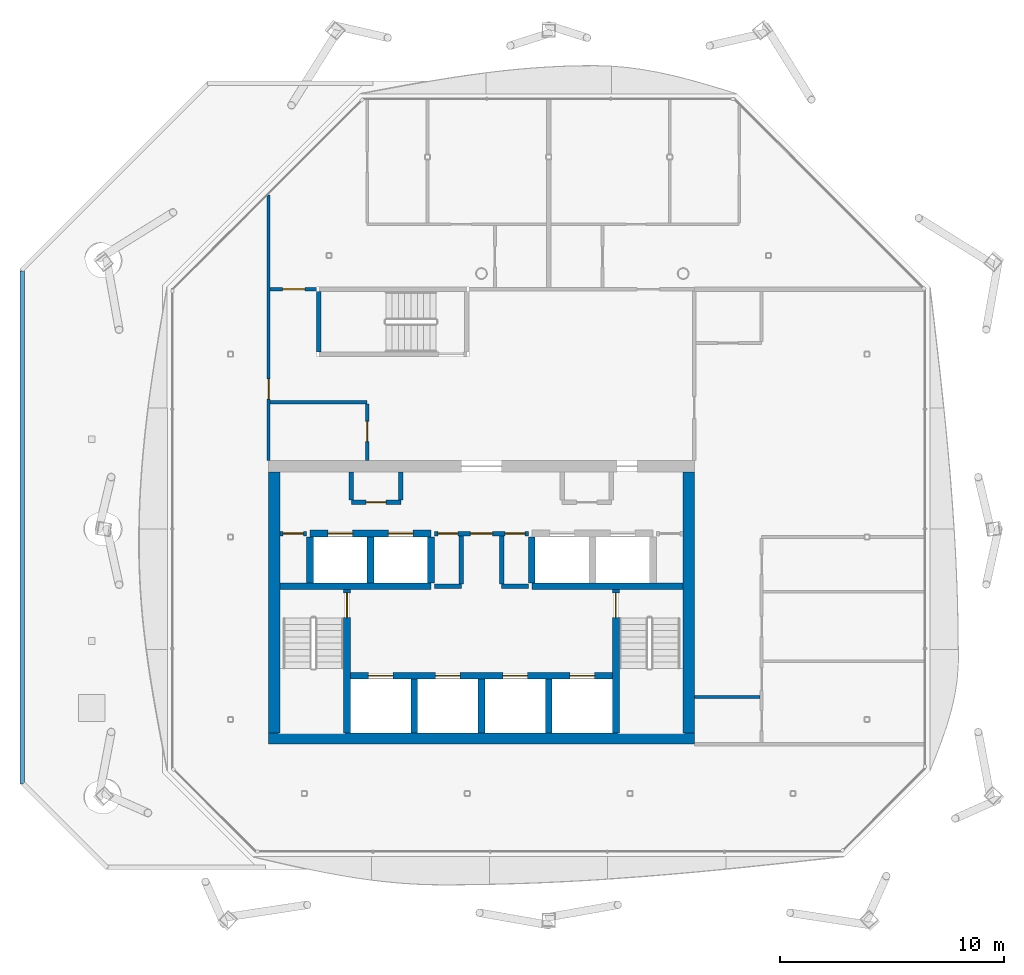
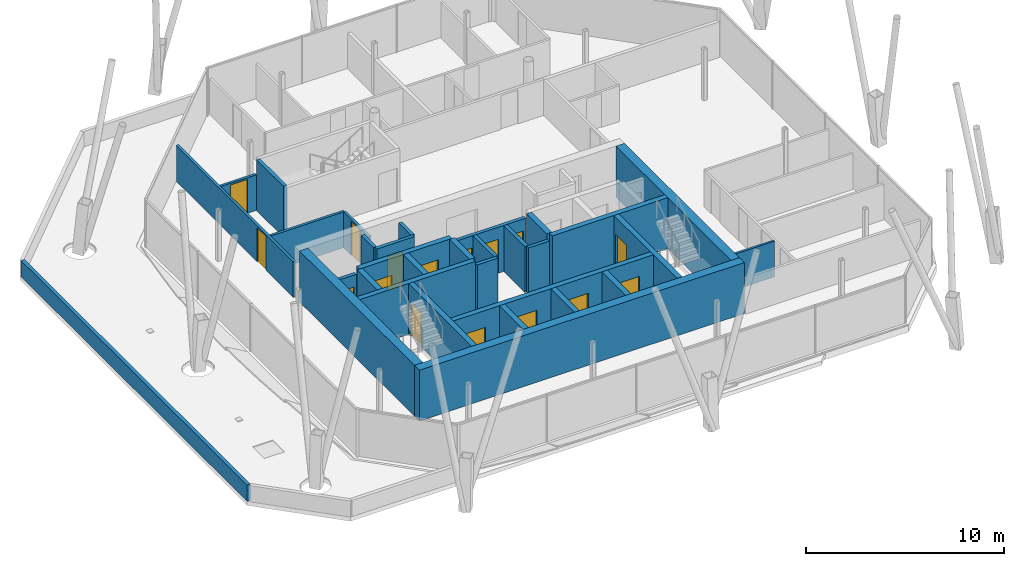
# One storey, part 10 of 17: 32 walls, 16 doors, 16 openings.
"""IFC4 building model written with IfcOpenShell, lengths in metres."""

from ifc_helpers import new_model, si_unit, direction, frame, frame_2d, origin, place, context, subcontext, project, spatial, rectangle, extrude, material, layer, layer_set, type_object, element, fill, save


model = new_model("IFC4")

# Units and contexts
model_context = context("Model", 3, precision=1e-05, world=origin(), true_north=direction((0.0, 1.0)))
body_context = subcontext(model_context, "Body", "Model", "MODEL_VIEW")
ifc_project = project(units=[si_unit("LENGTHUNIT", "METRE"), si_unit("AREAUNIT", "SQUARE_METRE"), si_unit("VOLUMEUNIT", "CUBIC_METRE"), si_unit("PLANEANGLEUNIT", "RADIAN"), si_unit("MASSUNIT", "GRAM", prefix="KILO")], contexts=[model_context])

# Site, building, storey
site_placement = place(None, origin())
site = spatial("IfcSite", under=ifc_project, at=site_placement, CompositionType="ELEMENT")
building_placement = place(site_placement, origin())
building = spatial("IfcBuilding", under=site, at=building_placement, Name="Tskaro Facet Tower", CompositionType="ELEMENT")
storey_placement = place(building_placement, frame((0.0, 0.0, 259.5)))
storey = spatial("IfcBuildingStorey", under=building, at=storey_placement, Name="L68", CompositionType="ELEMENT", Elevation=259.5)

# Wall, openings, doors
ifc_material_1 = material(Name="Concrete C60/75", Category="concrete")
ifc_layer_1 = layer(ifc_material_1, 0.300048828125, Name="Concrete C60/75")
ifc_layer_set_1 = layer_set([ifc_layer_1], Name="Concrete C60/75")
wall_type_1 = type_object("IfcWallType", Name="CORE-SHAFT", PredefinedType="SHEAR", material=ifc_layer_set_1)
wall_1_placement = place(storey_placement, frame((-5.85009765625, -8.949951171875, 0.0), z_axis=(0.0, 0.0, 1.0), x_axis=(1.0, 0.0, 0.0)))
wall_1 = element("IfcWall", 1, at=wall_1_placement, inside=storey, type_object=wall_type_1, Name="Shaft wall W003", PredefinedType="SHEAR", context=body_context, shape_type="SweptSolid", body=[
    extrude(rectangle(XDim=11.7001953125, YDim=0.300048828125, at=frame_2d((5.85009765625, 0.0))), origin(), (0.0, 0.0, 1.0), 3.14990234375),
])
opening_1_placement = place(wall_1_placement, frame((0.800048828125, 0.0, 0.0)))
opening_1 = element("IfcOpeningElement", 2, at=opening_1_placement, cuts=wall_1, Name="Opening LD-FF1", PredefinedType="OPENING", context=body_context, shape_type="SweptSolid", body=[
    extrude(rectangle(XDim=1.10009765625, YDim=2.10009765625, at=frame_2d((0.550048828125, 1.050048828125))), frame((0.0, 0.159912109375, 0.0), z_axis=(0.0, -1.0, 0.0), x_axis=(1.0, 0.0, 0.0)), (0.0, 0.0, 1.0), 0.320068359375),
])
opening_2_placement = place(wall_1_placement, frame((3.800048828125, 0.0, 0.0)))
opening_2 = element("IfcOpeningElement", 3, at=opening_2_placement, cuts=wall_1, Name="Opening LD-FF2", PredefinedType="OPENING", context=body_context, shape_type="SweptSolid", body=[
    extrude(rectangle(XDim=1.10009765625, YDim=2.10009765625, at=frame_2d((0.550048828125, 1.050048828125))), frame((0.0, 0.159912109375, 0.0), z_axis=(0.0, -1.0, 0.0), x_axis=(1.0, 0.0, 0.0)), (0.0, 0.0, 1.0), 0.320068359375),
])
opening_3_placement = place(wall_1_placement, frame((6.800048828125, 0.0, 0.0)))
opening_3 = element("IfcOpeningElement", 4, at=opening_3_placement, cuts=wall_1, Name="Opening LD-SV1", PredefinedType="OPENING", context=body_context, shape_type="SweptSolid", body=[
    extrude(rectangle(XDim=1.10009765625, YDim=2.10009765625, at=frame_2d((0.550048828125, 1.050048828125))), frame((0.0, 0.159912109375, 0.0), z_axis=(0.0, -1.0, 0.0), x_axis=(1.0, 0.0, 0.0)), (0.0, 0.0, 1.0), 0.320068359375),
])
opening_4_placement = place(wall_1_placement, frame((9.800048828125, 0.0, 0.0)))
opening_4 = element("IfcOpeningElement", 5, at=opening_4_placement, cuts=wall_1, Name="Opening LD-SV2", PredefinedType="OPENING", context=body_context, shape_type="SweptSolid", body=[
    extrude(rectangle(XDim=1.10009765625, YDim=2.10009765625, at=frame_2d((0.550048828125, 1.050048828125))), frame((0.0, 0.159912109375, 0.0), z_axis=(0.0, -1.0, 0.0), x_axis=(1.0, 0.0, 0.0)), (0.0, 0.0, 1.0), 0.320068359375),
])
ifc_material_2 = material(Name="Stainless steel", Category="steel")
door_type_1 = type_object("IfcDoorType", Name="D-LANDING", OperationType="NOTDEFINED", PredefinedType="DOOR", material=ifc_material_2)
door_1_placement = place(opening_1_placement, origin())
door_1 = element("IfcDoor", 6, at=door_1_placement, inside=storey, type_object=door_type_1, Name="Landing door FF1", OperationType="DOUBLE_DOOR_SLIDING", OverallHeight=2.10009765625, OverallWidth=1.10009765625, PredefinedType="DOOR", context=body_context, shape_type="SweptSolid", body=[
    extrude(rectangle(XDim=1.10009765625, YDim=2.10009765625, at=frame_2d((0.550048828125, 1.050048828125))), frame((0.0, 0.02490234375, 0.0), z_axis=(0.0, -1.0, 0.0), x_axis=(1.0, 0.0, 0.0)), (0.0, 0.0, 1.0), 0.050048828125),
])
fill(opening_1, door_1)
door_2_placement = place(opening_2_placement, origin())
door_2 = element("IfcDoor", 7, at=door_2_placement, inside=storey, type_object=door_type_1, Name="Landing door FF2", OperationType="DOUBLE_DOOR_SLIDING", OverallHeight=2.10009765625, OverallWidth=1.10009765625, PredefinedType="DOOR", context=body_context, shape_type="SweptSolid", body=[
    extrude(rectangle(XDim=1.10009765625, YDim=2.10009765625, at=frame_2d((0.550048828125, 1.050048828125))), frame((0.0, 0.02490234375, 0.0), z_axis=(0.0, -1.0, 0.0), x_axis=(1.0, 0.0, 0.0)), (0.0, 0.0, 1.0), 0.050048828125),
])
fill(opening_2, door_2)
door_3_placement = place(opening_3_placement, origin())
door_3 = element("IfcDoor", 8, at=door_3_placement, inside=storey, type_object=door_type_1, Name="Landing door SV1", OperationType="DOUBLE_DOOR_SLIDING", OverallHeight=2.10009765625, OverallWidth=1.10009765625, PredefinedType="DOOR", context=body_context, shape_type="SweptSolid", body=[
    extrude(rectangle(XDim=1.10009765625, YDim=2.10009765625, at=frame_2d((0.550048828125, 1.050048828125))), frame((0.0, 0.02490234375, 0.0), z_axis=(0.0, -1.0, 0.0), x_axis=(1.0, 0.0, 0.0)), (0.0, 0.0, 1.0), 0.050048828125),
])
fill(opening_3, door_3)
door_4_placement = place(opening_4_placement, origin())
door_4 = element("IfcDoor", 9, at=door_4_placement, inside=storey, type_object=door_type_1, Name="Landing door SV2", OperationType="DOUBLE_DOOR_SLIDING", OverallHeight=2.10009765625, OverallWidth=1.10009765625, PredefinedType="DOOR", context=body_context, shape_type="SweptSolid", body=[
    extrude(rectangle(XDim=1.10009765625, YDim=2.10009765625, at=frame_2d((0.550048828125, 1.050048828125))), frame((0.0, 0.02490234375, 0.0), z_axis=(0.0, -1.0, 0.0), x_axis=(1.0, 0.0, 0.0)), (0.0, 0.0, 1.0), 0.050048828125),
])
fill(opening_4, door_4)

# Walls
for number, where, z_axis, x_axis, name in (
    (10, (-9.0, -4.949951171875, 0.0), (0.0, 0.0, 1.0), (1.0, 0.0, 0.0), "Shaft wall W006"),
    (11, (2.25, -4.949951171875, 0.0), (0.0, 0.0, 1.0), (1.0, 0.0, 0.0), "Shaft wall W009"),
):
    element("IfcWall", number, at=place(storey_placement, frame(where, z_axis=z_axis, x_axis=x_axis)), inside=storey, type_object=wall_type_1, Name=name, PredefinedType="SHEAR", context=body_context, shape_type="SweptSolid", body=[
        extrude(rectangle(XDim=6.75, YDim=0.300048828125, at=frame_2d((3.375, 0.0))), origin(), (0.0, 0.0, 1.0), 3.14990234375),
    ])

# Wall, openings, doors
wall_2_placement = place(storey_placement, frame((-7.64990234375, -2.60009765625, 0.0), z_axis=(0.0, 0.0, 1.0), x_axis=(1.0, 0.0, 0.0)))
wall_2 = element("IfcWall", 12, at=wall_2_placement, inside=storey, type_object=wall_type_1, Name="Shaft wall W013", PredefinedType="SHEAR", context=body_context, shape_type="SweptSolid", body=[
    extrude(rectangle(XDim=5.39990234375, YDim=0.300048828125, at=frame_2d((2.699951171875, 0.0))), origin(), (0.0, 0.0, 1.0), 3.14990234375),
])
opening_5_placement = place(wall_2_placement, frame((0.800048828125, 0.0, 0.0)))
opening_5 = element("IfcOpeningElement", 13, at=opening_5_placement, cuts=wall_2, Name="Opening LD-HB1", PredefinedType="OPENING", context=body_context, shape_type="SweptSolid", body=[
    extrude(rectangle(XDim=1.10009765625, YDim=2.10009765625, at=frame_2d((0.550048828125, 1.050048828125))), frame((0.0, 0.159912109375, 0.0), z_axis=(0.0, -1.0, 0.0), x_axis=(1.0, 0.0, 0.0)), (0.0, 0.0, 1.0), 0.320068359375),
])
opening_6_placement = place(wall_2_placement, frame((3.5, 0.0, 0.0)))
opening_6 = element("IfcOpeningElement", 14, at=opening_6_placement, cuts=wall_2, Name="Opening LD-HB2", PredefinedType="OPENING", context=body_context, shape_type="SweptSolid", body=[
    extrude(rectangle(XDim=1.10009765625, YDim=2.10009765625, at=frame_2d((0.550048828125, 1.050048828125))), frame((0.0, 0.159912109375, 0.0), z_axis=(0.0, -1.0, 0.0), x_axis=(1.0, 0.0, 0.0)), (0.0, 0.0, 1.0), 0.320068359375),
])
door_5_placement = place(opening_5_placement, origin())
door_5 = element("IfcDoor", 15, at=door_5_placement, inside=storey, type_object=door_type_1, Name="Landing door HB1", OperationType="DOUBLE_DOOR_SLIDING", OverallHeight=2.10009765625, OverallWidth=1.10009765625, PredefinedType="DOOR", context=body_context, shape_type="SweptSolid", body=[
    extrude(rectangle(XDim=1.10009765625, YDim=2.10009765625, at=frame_2d((0.550048828125, 1.050048828125))), frame((0.0, 0.02490234375, 0.0), z_axis=(0.0, -1.0, 0.0), x_axis=(1.0, 0.0, 0.0)), (0.0, 0.0, 1.0), 0.050048828125),
])
fill(opening_5, door_5)
door_6_placement = place(opening_6_placement, origin())
door_6 = element("IfcDoor", 16, at=door_6_placement, inside=storey, type_object=door_type_1, Name="Landing door HB2", OperationType="DOUBLE_DOOR_SLIDING", OverallHeight=2.10009765625, OverallWidth=1.10009765625, PredefinedType="DOOR", context=body_context, shape_type="SweptSolid", body=[
    extrude(rectangle(XDim=1.10009765625, YDim=2.10009765625, at=frame_2d((0.550048828125, 1.050048828125))), frame((0.0, 0.02490234375, 0.0), z_axis=(0.0, -1.0, 0.0), x_axis=(1.0, 0.0, 0.0)), (0.0, 0.0, 1.0), 0.050048828125),
])
fill(opening_6, door_6)

# Wall
wall_3_placement = place(storey_placement, frame((-7.64990234375, -4.800048828125, 0.0), z_axis=(0.0, 0.0, 1.0), x_axis=(0.0, 1.0, 0.0)))
element("IfcWall", 17, at=wall_3_placement, inside=storey, type_object=wall_type_1, Name="Shaft wall W028", PredefinedType="SHEAR", context=body_context, shape_type="SweptSolid", body=[
    extrude(rectangle(XDim=2.050048828125, YDim=0.300048828125, at=frame_2d((1.02490234375, 0.0))), origin(), (0.0, 0.0, 1.0), 3.14990234375),
])

# Wall, opening, door
wall_4_placement = place(storey_placement, frame((-6.0, -11.5, 0.0), z_axis=(0.0, 0.0, 1.0), x_axis=(0.0, 1.0, 0.0)))
wall_4 = element("IfcWall", 18, at=wall_4_placement, inside=storey, type_object=wall_type_1, Name="Shaft wall W030", PredefinedType="SHEAR", context=body_context, shape_type="SweptSolid", body=[
    extrude(rectangle(XDim=6.39990234375, YDim=0.300048828125, at=frame_2d((3.199951171875, 0.0))), origin(), (0.0, 0.0, 1.0), 3.14990234375),
])
opening_7_placement = place(wall_4_placement, frame((5.14990234375, 0.0, 0.0)))
opening_7 = element("IfcOpeningElement", 19, at=opening_7_placement, cuts=wall_4, Name="Opening ST-1-D1", PredefinedType="OPENING", context=body_context, shape_type="SweptSolid", body=[
    extrude(rectangle(XDim=1.10009765625, YDim=2.10009765625, at=frame_2d((0.550048828125, 1.050048828125))), frame((0.0, 0.159912109375, 0.0), z_axis=(0.0, -1.0, 0.0), x_axis=(1.0, 0.0, 0.0)), (0.0, 0.0, 1.0), 0.320068359375),
])
ifc_material_3 = material(Name="Steel", Category="steel")
door_type_2 = type_object("IfcDoorType", Name="D-STAIR", OperationType="NOTDEFINED", PredefinedType="DOOR", material=ifc_material_3)
door_7_placement = place(opening_7_placement, origin())
door_7 = element("IfcDoor", 20, at=door_7_placement, inside=storey, type_object=door_type_2, Name="Stair door 1", OperationType="SINGLE_SWING_LEFT", OverallHeight=2.10009765625, OverallWidth=1.10009765625, PredefinedType="DOOR", context=body_context, shape_type="SweptSolid", body=[
    extrude(rectangle(XDim=1.10009765625, YDim=2.10009765625, at=frame_2d((0.550048828125, 1.050048828125))), frame((0.0, 0.02490234375, 0.0), z_axis=(0.0, -1.0, 0.0), x_axis=(1.0, 0.0, 0.0)), (0.0, 0.0, 1.0), 0.050048828125),
])
fill(opening_7, door_7)

# Walls
wall_5_placement = place(storey_placement, frame((-4.949951171875, -4.800048828125, 0.0), z_axis=(0.0, 0.0, 1.0), x_axis=(0.0, 1.0, 0.0)))
element("IfcWall", 21, at=wall_5_placement, inside=storey, type_object=wall_type_1, Name="Shaft wall W034", PredefinedType="SHEAR", context=body_context, shape_type="SweptSolid", body=[
    extrude(rectangle(XDim=2.050048828125, YDim=0.300048828125, at=frame_2d((1.02490234375, 0.0))), origin(), (0.0, 0.0, 1.0), 3.14990234375),
])
wall_6_placement = place(storey_placement, frame((-3.0, -11.5, 0.0), z_axis=(0.0, 0.0, 1.0), x_axis=(0.0, 1.0, 0.0)))
element("IfcWall", 22, at=wall_6_placement, inside=storey, type_object=wall_type_1, Name="Shaft wall W036", PredefinedType="SHEAR", context=body_context, shape_type="SweptSolid", body=[
    extrude(rectangle(XDim=2.39990234375, YDim=0.300048828125, at=frame_2d((1.199951171875, 0.0))), origin(), (0.0, 0.0, 1.0), 3.14990234375),
])
wall_7_placement = place(storey_placement, frame((-2.25, -4.800048828125, 0.0), z_axis=(0.0, 0.0, 1.0), x_axis=(0.0, 1.0, 0.0)))
element("IfcWall", 23, at=wall_7_placement, inside=storey, type_object=wall_type_1, Name="Shaft wall W039", PredefinedType="SHEAR", context=body_context, shape_type="SweptSolid", body=[
    extrude(rectangle(XDim=2.050048828125, YDim=0.300048828125, at=frame_2d((1.02490234375, 0.0))), origin(), (0.0, 0.0, 1.0), 3.14990234375),
])
wall_8_placement = place(storey_placement, frame((0.0, -11.5, 0.0), z_axis=(0.0, 0.0, 1.0), x_axis=(0.0, 1.0, 0.0)))
element("IfcWall", 24, at=wall_8_placement, inside=storey, type_object=wall_type_1, Name="Shaft wall W042", PredefinedType="SHEAR", context=body_context, shape_type="SweptSolid", body=[
    extrude(rectangle(XDim=2.39990234375, YDim=0.300048828125, at=frame_2d((1.199951171875, 0.0))), origin(), (0.0, 0.0, 1.0), 3.14990234375),
])
wall_9_placement = place(storey_placement, frame((2.25, -4.800048828125, 0.0), z_axis=(0.0, 0.0, 1.0), x_axis=(0.0, 1.0, 0.0)))
element("IfcWall", 25, at=wall_9_placement, inside=storey, type_object=wall_type_1, Name="Shaft wall W045", PredefinedType="SHEAR", context=body_context, shape_type="SweptSolid", body=[
    extrude(rectangle(XDim=2.050048828125, YDim=0.300048828125, at=frame_2d((1.02490234375, 0.0))), origin(), (0.0, 0.0, 1.0), 3.14990234375),
])
wall_10_placement = place(storey_placement, frame((3.0, -11.5, 0.0), z_axis=(0.0, 0.0, 1.0), x_axis=(0.0, 1.0, 0.0)))
element("IfcWall", 26, at=wall_10_placement, inside=storey, type_object=wall_type_1, Name="Shaft wall W046", PredefinedType="SHEAR", context=body_context, shape_type="SweptSolid", body=[
    extrude(rectangle(XDim=2.39990234375, YDim=0.300048828125, at=frame_2d((1.199951171875, 0.0))), origin(), (0.0, 0.0, 1.0), 3.14990234375),
])

# Wall, opening, door
wall_11_placement = place(storey_placement, frame((6.0, -5.10009765625, 0.0), z_axis=(0.0, 0.0, 1.0), x_axis=(0.0, -1.0, 0.0)))
wall_11 = element("IfcWall", 27, at=wall_11_placement, inside=storey, type_object=wall_type_1, Name="Shaft wall W053", PredefinedType="SHEAR", context=body_context, shape_type="SweptSolid", body=[
    extrude(rectangle(XDim=6.39990234375, YDim=0.300048828125, at=frame_2d((3.199951171875, 0.0))), origin(), (0.0, 0.0, 1.0), 3.14990234375),
])
opening_8_placement = place(wall_11_placement, frame((0.14990234375, 0.0, 0.0)))
opening_8 = element("IfcOpeningElement", 28, at=opening_8_placement, cuts=wall_11, Name="Opening ST-2-D1", PredefinedType="OPENING", context=body_context, shape_type="SweptSolid", body=[
    extrude(rectangle(XDim=1.10009765625, YDim=2.10009765625, at=frame_2d((0.550048828125, 1.050048828125))), frame((0.0, 0.159912109375, 0.0), z_axis=(0.0, -1.0, 0.0), x_axis=(1.0, 0.0, 0.0)), (0.0, 0.0, 1.0), 0.320068359375),
])
door_8_placement = place(opening_8_placement, origin())
door_8 = element("IfcDoor", 29, at=door_8_placement, inside=storey, type_object=door_type_2, Name="Stair door 2", OperationType="SINGLE_SWING_RIGHT", OverallHeight=2.10009765625, OverallWidth=1.10009765625, PredefinedType="DOOR", context=body_context, shape_type="SweptSolid", body=[
    extrude(rectangle(XDim=1.10009765625, YDim=2.10009765625, at=frame_2d((0.550048828125, 1.050048828125))), frame((0.0, 0.02490234375, 0.0), z_axis=(0.0, -1.0, 0.0), x_axis=(1.0, 0.0, 0.0)), (0.0, 0.0, 1.0), 0.050048828125),
])
fill(opening_8, door_8)

# Walls
ifc_material_4 = material(Name="Concrete C20/25", Category="concrete")
ifc_layer_2 = layer(ifc_material_4, 0.199951171875, Name="Concrete C20/25")
ifc_layer_set_2 = layer_set([ifc_layer_2], Name="Concrete C20/25")
wall_type_2 = type_object("IfcWallType", Name="CORE-WALL", PredefinedType="SOLIDWALL", material=ifc_layer_set_2)
for number, where, z_axis, x_axis, name in (
    (30, (-2.10009765625, -4.949951171875, 0.0), (0.0, 0.0, 1.0), (1.0, 0.0, 0.0), "Core room wall W007"),
    (31, (0.89990234375, -4.949951171875, 0.0), (0.0, 0.0, 1.0), (1.0, 0.0, 0.0), "Core room wall W008"),
):
    element("IfcWall", number, at=place(storey_placement, frame(where, z_axis=z_axis, x_axis=x_axis)), inside=storey, type_object=wall_type_2, Name=name, PredefinedType="SOLIDWALL", context=body_context, shape_type="SweptSolid", body=[
        extrude(rectangle(XDim=1.2001953125, YDim=0.199951171875, at=frame_2d((0.60009765625, 0.0))), origin(), (0.0, 0.0, 1.0), 2.85009765625),
    ])

# Wall, opening, door
wall_12_placement = place(storey_placement, frame((-7.800048828125, -2.60009765625, 0.0), z_axis=(0.0, 0.0, 1.0), x_axis=(-1.0, 0.0, 0.0)))
wall_12 = element("IfcWall", 32, at=wall_12_placement, inside=storey, type_object=wall_type_2, Name="Core room wall W012", PredefinedType="SOLIDWALL", context=body_context, shape_type="SweptSolid", body=[
    extrude(rectangle(XDim=1.199951171875, YDim=0.199951171875, at=frame_2d((0.60009765625, 0.0))), origin(), (0.0, 0.0, 1.0), 2.85009765625),
])
opening_9_placement = place(wall_12_placement, frame((0.14990234375, 0.0, 0.0)))
opening_9 = element("IfcOpeningElement", 33, at=opening_9_placement, cuts=wall_12, Name="Opening T20-D05", PredefinedType="OPENING", context=body_context, shape_type="SweptSolid", body=[
    extrude(rectangle(XDim=0.89990234375, YDim=2.10009765625, at=frame_2d((0.449951171875, 1.050048828125))), frame((0.0, 0.10986328125, 0.0), z_axis=(0.0, -1.0, 0.0), x_axis=(1.0, 0.0, 0.0)), (0.0, 0.0, 1.0), 0.219970703125),
])
ifc_material_5 = material(Name="Timber", Category="wood")
door_type_3 = type_object("IfcDoorType", Name="D-ROOM", OperationType="NOTDEFINED", PredefinedType="DOOR", material=ifc_material_5)
door_9_placement = place(opening_9_placement, origin())
door_9 = element("IfcDoor", 34, at=door_9_placement, inside=storey, type_object=door_type_3, Name="Door T20-D05", OperationType="SINGLE_SWING_RIGHT", OverallHeight=2.10009765625, OverallWidth=0.89990234375, PredefinedType="DOOR", context=body_context, shape_type="SweptSolid", body=[
    extrude(rectangle(XDim=0.89990234375, YDim=2.10009765625, at=frame_2d((0.449951171875, 1.050048828125))), frame((0.0, 0.02490234375, 0.0), z_axis=(0.0, -1.0, 0.0), x_axis=(1.0, 0.0, 0.0)), (0.0, 0.0, 1.0), 0.050048828125),
])
fill(opening_9, door_9)

# Wall, openings, doors
wall_13_placement = place(storey_placement, frame((2.10009765625, -2.60009765625, 0.0), z_axis=(0.0, 0.0, 1.0), x_axis=(-1.0, 0.0, 0.0)))
wall_13 = element("IfcWall", 35, at=wall_13_placement, inside=storey, type_object=wall_type_2, Name="Core room wall W014", PredefinedType="SOLIDWALL", context=body_context, shape_type="SweptSolid", body=[
    extrude(rectangle(XDim=4.2001953125, YDim=0.199951171875, at=frame_2d((2.10009765625, 0.0))), origin(), (0.0, 0.0, 1.0), 2.85009765625),
])
opening_10_placement = place(wall_13_placement, frame((1.60009765625, 0.0, 0.0)))
opening_10 = element("IfcOpeningElement", 36, at=opening_10_placement, cuts=wall_13, Name="Opening FL-D1", PredefinedType="OPENING", context=body_context, shape_type="SweptSolid", body=[
    extrude(rectangle(XDim=1.0, YDim=2.10009765625, at=frame_2d((0.5, 1.050048828125))), frame((0.0, 0.10986328125, 0.0), z_axis=(0.0, -1.0, 0.0), x_axis=(1.0, 0.0, 0.0)), (0.0, 0.0, 1.0), 0.219970703125),
])
opening_11_placement = place(wall_13_placement, frame((3.14990234375, 0.0, 0.0)))
opening_11 = element("IfcOpeningElement", 37, at=opening_11_placement, cuts=wall_13, Name="Opening T20-D06", PredefinedType="OPENING", context=body_context, shape_type="SweptSolid", body=[
    extrude(rectangle(XDim=0.89990234375, YDim=2.10009765625, at=frame_2d((0.449951171875, 1.050048828125))), frame((0.0, 0.10986328125, 0.0), z_axis=(0.0, -1.0, 0.0), x_axis=(1.0, 0.0, 0.0)), (0.0, 0.0, 1.0), 0.219970703125),
])
opening_12_placement = place(wall_13_placement, frame((0.14990234375, 0.0, 0.0)))
opening_12 = element("IfcOpeningElement", 38, at=opening_12_placement, cuts=wall_13, Name="Opening T20-D07", PredefinedType="OPENING", context=body_context, shape_type="SweptSolid", body=[
    extrude(rectangle(XDim=0.89990234375, YDim=2.10009765625, at=frame_2d((0.449951171875, 1.050048828125))), frame((0.0, 0.10986328125, 0.0), z_axis=(0.0, -1.0, 0.0), x_axis=(1.0, 0.0, 0.0)), (0.0, 0.0, 1.0), 0.219970703125),
])
door_type_4 = type_object("IfcDoorType", Name="D-LOBBY", OperationType="NOTDEFINED", PredefinedType="DOOR", material=ifc_material_3)
door_10_placement = place(opening_10_placement, origin())
door_10 = element("IfcDoor", 39, at=door_10_placement, inside=storey, type_object=door_type_4, Name="Lobby door FL", OperationType="SINGLE_SWING_RIGHT", OverallHeight=2.10009765625, OverallWidth=1.0, PredefinedType="DOOR", context=body_context, shape_type="SweptSolid", body=[
    extrude(rectangle(XDim=1.0, YDim=2.10009765625, at=frame_2d((0.5, 1.050048828125))), frame((0.0, 0.02490234375, 0.0), z_axis=(0.0, -1.0, 0.0), x_axis=(1.0, 0.0, 0.0)), (0.0, 0.0, 1.0), 0.050048828125),
])
fill(opening_10, door_10)
door_11_placement = place(opening_11_placement, origin())
door_11 = element("IfcDoor", 40, at=door_11_placement, inside=storey, type_object=door_type_3, Name="Door T20-D06", OperationType="SINGLE_SWING_RIGHT", OverallHeight=2.10009765625, OverallWidth=0.89990234375, PredefinedType="DOOR", context=body_context, shape_type="SweptSolid", body=[
    extrude(rectangle(XDim=0.89990234375, YDim=2.10009765625, at=frame_2d((0.449951171875, 1.050048828125))), frame((0.0, 0.02490234375, 0.0), z_axis=(0.0, -1.0, 0.0), x_axis=(1.0, 0.0, 0.0)), (0.0, 0.0, 1.0), 0.050048828125),
])
fill(opening_11, door_11)
door_12_placement = place(opening_12_placement, origin())
door_12 = element("IfcDoor", 41, at=door_12_placement, inside=storey, type_object=door_type_3, Name="Door T20-D07", OperationType="SINGLE_SWING_RIGHT", OverallHeight=2.10009765625, OverallWidth=0.89990234375, PredefinedType="DOOR", context=body_context, shape_type="SweptSolid", body=[
    extrude(rectangle(XDim=0.89990234375, YDim=2.10009765625, at=frame_2d((0.449951171875, 1.050048828125))), frame((0.0, 0.02490234375, 0.0), z_axis=(0.0, -1.0, 0.0), x_axis=(1.0, 0.0, 0.0)), (0.0, 0.0, 1.0), 0.050048828125),
])
fill(opening_12, door_12)

# Wall, opening, door
wall_14_placement = place(storey_placement, frame((-5.800048828125, -1.199951171875, 0.0), z_axis=(0.0, 0.0, 1.0), x_axis=(1.0, 0.0, 0.0)))
wall_14 = element("IfcWall", 42, at=wall_14_placement, inside=storey, type_object=wall_type_2, Name="Core room wall W017", PredefinedType="SOLIDWALL", context=body_context, shape_type="SweptSolid", body=[
    extrude(rectangle(XDim=2.199951171875, YDim=0.199951171875, at=frame_2d((1.10009765625, 0.0))), origin(), (0.0, 0.0, 1.0), 2.85009765625),
])
opening_13_placement = place(wall_14_placement, frame((0.64990234375, 0.0, 0.0)))
opening_13 = element("IfcOpeningElement", 43, at=opening_13_placement, cuts=wall_14, Name="Opening T20-D09", PredefinedType="OPENING", context=body_context, shape_type="SweptSolid", body=[
    extrude(rectangle(XDim=0.89990234375, YDim=2.10009765625, at=frame_2d((0.449951171875, 1.050048828125))), frame((0.0, 0.10986328125, 0.0), z_axis=(0.0, -1.0, 0.0), x_axis=(1.0, 0.0, 0.0)), (0.0, 0.0, 1.0), 0.219970703125),
])
door_13_placement = place(opening_13_placement, origin())
door_13 = element("IfcDoor", 44, at=door_13_placement, inside=storey, type_object=door_type_3, Name="Door T20-D09", OperationType="SINGLE_SWING_LEFT", OverallHeight=2.10009765625, OverallWidth=0.89990234375, PredefinedType="DOOR", context=body_context, shape_type="SweptSolid", body=[
    extrude(rectangle(XDim=0.89990234375, YDim=2.10009765625, at=frame_2d((0.449951171875, 1.050048828125))), frame((0.0, 0.02490234375, 0.0), z_axis=(0.0, -1.0, 0.0), x_axis=(1.0, 0.0, 0.0)), (0.0, 0.0, 1.0), 0.050048828125),
])
fill(opening_13, door_13)

# Walls
for number, where, z_axis, x_axis, name in (
    (45, (-5.800048828125, -1.10009765625, 0.0), (0.0, 0.0, 1.0), (0.0, 1.0, 0.0), "Core room wall W031"),
    (46, (-3.60009765625, -1.10009765625, 0.0), (0.0, 0.0, 1.0), (0.0, 1.0, 0.0), "Core room wall W035"),
):
    element("IfcWall", number, at=place(storey_placement, frame(where, z_axis=z_axis, x_axis=x_axis)), inside=storey, type_object=wall_type_2, Name=name, PredefinedType="SOLIDWALL", context=body_context, shape_type="SweptSolid", body=[
        extrude(rectangle(XDim=1.25, YDim=0.199951171875, at=frame_2d((0.625, 0.0))), origin(), (0.0, 0.0, 1.0), 2.85009765625),
    ])
for number, where, z_axis, x_axis, name in (
    (47, (-0.89990234375, -4.85009765625, 0.0), (0.0, 0.0, 1.0), (0.0, 1.0, 0.0), "Core room wall W040"),
    (48, (0.89990234375, -4.85009765625, 0.0), (0.0, 0.0, 1.0), (0.0, 1.0, 0.0), "Core room wall W044"),
):
    element("IfcWall", number, at=place(storey_placement, frame(where, z_axis=z_axis, x_axis=x_axis)), inside=storey, type_object=wall_type_2, Name=name, PredefinedType="SOLIDWALL", context=body_context, shape_type="SweptSolid", body=[
        extrude(rectangle(XDim=2.150146484375, YDim=0.199951171875, at=frame_2d((1.0751953125, 0.0))), origin(), (0.0, 0.0, 1.0), 2.85009765625),
    ])
ifc_material_6 = material(Name="Concrete C40/50", Category="concrete")
ifc_layer_3 = layer(ifc_material_6, 0.5, Name="Concrete C40/50")
ifc_layer_set_3 = layer_set([ifc_layer_3], Name="Concrete C40/50")
wall_type_3 = type_object("IfcWallType", Name="Core wall 500", PredefinedType="SHEAR", material=ifc_layer_set_3)
wall_15_placement = place(storey_placement, frame((-9.5, -11.75, 0.0), z_axis=(0.0, 0.0, 1.0), x_axis=(1.0, 0.0, 0.0)))
element("IfcWall", 49, at=wall_15_placement, inside=storey, type_object=wall_type_3, Name="Core wall CW-Z3S", PredefinedType="SHEAR", context=body_context, shape_type="SweptSolid", body=[
    extrude(rectangle(XDim=19.0, YDim=0.5, at=frame_2d((9.5, 0.0))), origin(), (0.0, 0.0, 1.0), 3.14990234375),
])
for number, where, z_axis, x_axis, name in (
    (50, (-9.25, -11.5, 0.0), (0.0, 0.0, 1.0), (0.0, 1.0, 0.0), "Core wall CW-Z3W"),
    (51, (9.25, -11.5, 0.0), (0.0, 0.0, 1.0), (0.0, 1.0, 0.0), "Core wall CW-Z3E"),
):
    element("IfcWall", number, at=place(storey_placement, frame(where, z_axis=z_axis, x_axis=x_axis)), inside=storey, type_object=wall_type_3, Name=name, PredefinedType="SHEAR", context=body_context, shape_type="SweptSolid", body=[
        extrude(rectangle(XDim=11.64990234375, YDim=0.5, at=frame_2d((5.824951171875, 0.0))), origin(), (0.0, 0.0, 1.0), 3.14990234375),
    ])
ifc_material_7 = material(Name="Gypsum board on steel studs", Category="steel")
ifc_layer_4 = layer(ifc_material_7, 0.125, Name="Gypsum board on steel studs")
ifc_layer_set_4 = layer_set([ifc_layer_4], Name="Gypsum board on steel studs")
wall_type_4 = type_object("IfcWallType", Name="PART", PredefinedType="PARTITIONING", material=ifc_layer_set_4)
wall_16_placement = place(storey_placement, frame((9.5, -9.89990234375, 0.0), z_axis=(0.0, 0.0, 1.0), x_axis=(1.0, 0.0, 0.0)))
element("IfcWall", 52, at=wall_16_placement, inside=storey, type_object=wall_type_4, Name="Partition W002", PredefinedType="PARTITIONING", context=body_context, shape_type="SweptSolid", body=[
    extrude(rectangle(XDim=2.9375, YDim=0.125, at=frame_2d((1.46875, 0.0))), origin(), (0.0, 0.0, 1.0), 2.2099609375),
])
ifc_layer_5 = layer(ifc_material_7, 0.14990234375, Name="Gypsum board on steel studs")
ifc_layer_set_5 = layer_set([ifc_layer_5], Name="Gypsum board on steel studs")
wall_type_5 = type_object("IfcWallType", Name="PART-CORR", PredefinedType="PARTITIONING", material=ifc_layer_set_5)
wall_17_placement = place(storey_placement, frame((-9.425048828125, 3.25, 0.0), z_axis=(0.0, 0.0, 1.0), x_axis=(1.0, 0.0, 0.0)))
element("IfcWall", 53, at=wall_17_placement, inside=storey, type_object=wall_type_5, Name="Corridor wall W019", PredefinedType="PARTITIONING", context=body_context, shape_type="SweptSolid", body=[
    extrude(rectangle(XDim=4.324951171875, YDim=0.14990234375, at=frame_2d((2.16259765625, 0.0))), origin(), (0.0, 0.0, 1.0), 2.2099609375),
])

# Wall, opening, door
wall_18_placement = place(storey_placement, frame((-9.425048828125, 8.300048828125, 0.0), z_axis=(0.0, 0.0, 1.0), x_axis=(1.0, 0.0, 0.0)))
wall_18 = element("IfcWall", 54, at=wall_18_placement, inside=storey, type_object=wall_type_5, Name="Corridor wall W022", PredefinedType="PARTITIONING", context=body_context, shape_type="SweptSolid", body=[
    extrude(rectangle(XDim=2.074951171875, YDim=0.14990234375, at=frame_2d((1.03759765625, 0.0))), origin(), (0.0, 0.0, 1.0), 2.2099609375),
])
opening_14_placement = place(wall_18_placement, frame((0.550048828125, 0.0, 0.0)))
opening_14 = element("IfcOpeningElement", 55, at=opening_14_placement, cuts=wall_18, Name="Opening T20-D17", PredefinedType="OPENING", context=body_context, shape_type="SweptSolid", body=[
    extrude(rectangle(XDim=1.0, YDim=2.10009765625, at=frame_2d((0.5, 1.050048828125))), frame((0.0, 0.0849609375, 0.0), z_axis=(0.0, -1.0, 0.0), x_axis=(1.0, 0.0, 0.0)), (0.0, 0.0, 1.0), 0.169921875),
])
door_type_5 = type_object("IfcDoorType", Name="D-FLAT-ENTRY", OperationType="NOTDEFINED", PredefinedType="DOOR", material=ifc_material_5)
door_14_placement = place(opening_14_placement, origin())
door_14 = element("IfcDoor", 56, at=door_14_placement, inside=storey, type_object=door_type_5, Name="Door T20-D17", OperationType="SINGLE_SWING_LEFT", OverallHeight=2.10009765625, OverallWidth=1.0, PredefinedType="DOOR", context=body_context, shape_type="SweptSolid", body=[
    extrude(rectangle(XDim=1.0, YDim=2.10009765625, at=frame_2d((0.5, 1.050048828125))), frame((0.0, 0.02490234375, 0.0), z_axis=(0.0, -1.0, 0.0), x_axis=(1.0, 0.0, 0.0)), (0.0, 0.0, 1.0), 0.050048828125),
])
fill(opening_14, door_14)

wall_19_placement = place(storey_placement, frame((-9.5, 0.64990234375, 0.0), z_axis=(0.0, 0.0, 1.0), x_axis=(0.0, 1.0, 0.0)))
wall_19 = element("IfcWall", 57, at=wall_19_placement, inside=storey, type_object=wall_type_5, Name="Corridor wall W027", PredefinedType="PARTITIONING", context=body_context, shape_type="SweptSolid", body=[
    extrude(rectangle(XDim=11.860107421875, YDim=0.14990234375, at=frame_2d((5.93017578125, 0.0))), origin(), (0.0, 0.0, 1.0), 2.2099609375),
])
opening_15_placement = place(wall_19_placement, frame((2.75, 0.0, 0.0)))
opening_15 = element("IfcOpeningElement", 58, at=opening_15_placement, cuts=wall_19, Name="Opening T20-D15", PredefinedType="OPENING", context=body_context, shape_type="SweptSolid", body=[
    extrude(rectangle(XDim=0.89990234375, YDim=2.10009765625, at=frame_2d((0.449951171875, 1.050048828125))), frame((0.0, 0.0849609375, 0.0), z_axis=(0.0, -1.0, 0.0), x_axis=(1.0, 0.0, 0.0)), (0.0, 0.0, 1.0), 0.169921875),
])
door_15_placement = place(opening_15_placement, origin())
door_15 = element("IfcDoor", 59, at=door_15_placement, inside=storey, type_object=door_type_3, Name="Door T20-D15", OperationType="SINGLE_SWING_LEFT", OverallHeight=2.10009765625, OverallWidth=0.89990234375, PredefinedType="DOOR", context=body_context, shape_type="SweptSolid", body=[
    extrude(rectangle(XDim=0.89990234375, YDim=2.10009765625, at=frame_2d((0.449951171875, 1.050048828125))), frame((0.0, 0.02490234375, 0.0), z_axis=(0.0, -1.0, 0.0), x_axis=(1.0, 0.0, 0.0)), (0.0, 0.0, 1.0), 0.050048828125),
])
fill(opening_15, door_15)

wall_20_placement = place(storey_placement, frame((-5.10009765625, 0.64990234375, 0.0), z_axis=(0.0, 0.0, 1.0), x_axis=(0.0, 1.0, 0.0)))
wall_20 = element("IfcWall", 60, at=wall_20_placement, inside=storey, type_object=wall_type_5, Name="Corridor wall W032", PredefinedType="PARTITIONING", context=body_context, shape_type="SweptSolid", body=[
    extrude(rectangle(XDim=2.525146484375, YDim=0.14990234375, at=frame_2d((1.2626953125, 0.0))), origin(), (0.0, 0.0, 1.0), 2.2099609375),
])
opening_16_placement = place(wall_20_placement, frame((0.85009765625, 0.0, 0.0)))
opening_16 = element("IfcOpeningElement", 61, at=opening_16_placement, cuts=wall_20, Name="Opening T20-D13", PredefinedType="OPENING", context=body_context, shape_type="SweptSolid", body=[
    extrude(rectangle(XDim=0.89990234375, YDim=2.10009765625, at=frame_2d((0.449951171875, 1.050048828125))), frame((0.0, 0.0849609375, 0.0), z_axis=(0.0, -1.0, 0.0), x_axis=(1.0, 0.0, 0.0)), (0.0, 0.0, 1.0), 0.169921875),
])
door_16_placement = place(opening_16_placement, origin())
door_16 = element("IfcDoor", 62, at=door_16_placement, inside=storey, type_object=door_type_3, Name="Door T20-D13", OperationType="SINGLE_SWING_LEFT", OverallHeight=2.10009765625, OverallWidth=0.89990234375, PredefinedType="DOOR", context=body_context, shape_type="SweptSolid", body=[
    extrude(rectangle(XDim=0.89990234375, YDim=2.10009765625, at=frame_2d((0.449951171875, 1.050048828125))), frame((0.0, 0.02490234375, 0.0), z_axis=(0.0, -1.0, 0.0), x_axis=(1.0, 0.0, 0.0)), (0.0, 0.0, 1.0), 0.050048828125),
])
fill(opening_16, door_16)

# Walls
ifc_material_8 = material(Name="Precast concrete C40/50", Category="concrete")
ifc_layer_6 = layer(ifc_material_8, 0.199951171875, Name="Precast concrete C40/50")
ifc_layer_set_6 = layer_set([ifc_layer_6], Name="Precast concrete C40/50")
wall_type_6 = type_object("IfcWallType", Name="Roof parapet", PredefinedType="PARAPET", material=ifc_layer_set_6)
wall_21_placement = place(storey_placement, frame((-20.490966796875, 9.1220703125, 0.0), z_axis=(0.0, 0.0, 1.0), x_axis=(0.0, -1.0, 0.0)))
element("IfcWall", 63, at=wall_21_placement, inside=storey, type_object=wall_type_6, Name="Roof parapet L68 1.3", PredefinedType="PARAPET", context=body_context, shape_type="SweptSolid", body=[
    extrude(rectangle(XDim=22.886962890625, YDim=0.199951171875, at=frame_2d((11.443359375, 0.0))), origin(), (0.0, 0.0, 1.0), 1.0),
])
ifc_layer_7 = layer(ifc_material_1, 0.199951171875, Name="Concrete C60/75")
ifc_layer_set_7 = layer_set([ifc_layer_7], Name="Concrete C60/75")
wall_type_7 = type_object("IfcWallType", Name="STAIR-WALL", PredefinedType="SHEAR", material=ifc_layer_set_7)
wall_22_placement = place(storey_placement, frame((-7.25, 5.5, 0.0), z_axis=(0.0, 0.0, 1.0), x_axis=(0.0, 1.0, 0.0)))
element("IfcWall", 64, at=wall_22_placement, inside=storey, type_object=wall_type_7, Name="Stair wall W029", PredefinedType="SHEAR", context=body_context, shape_type="SweptSolid", body=[
    extrude(rectangle(XDim=2.699951171875, YDim=0.199951171875, at=frame_2d((1.35009765625, 0.0))), origin(), (0.0, 0.0, 1.0), 3.14990234375),
])

save(model, "model.ifc")
